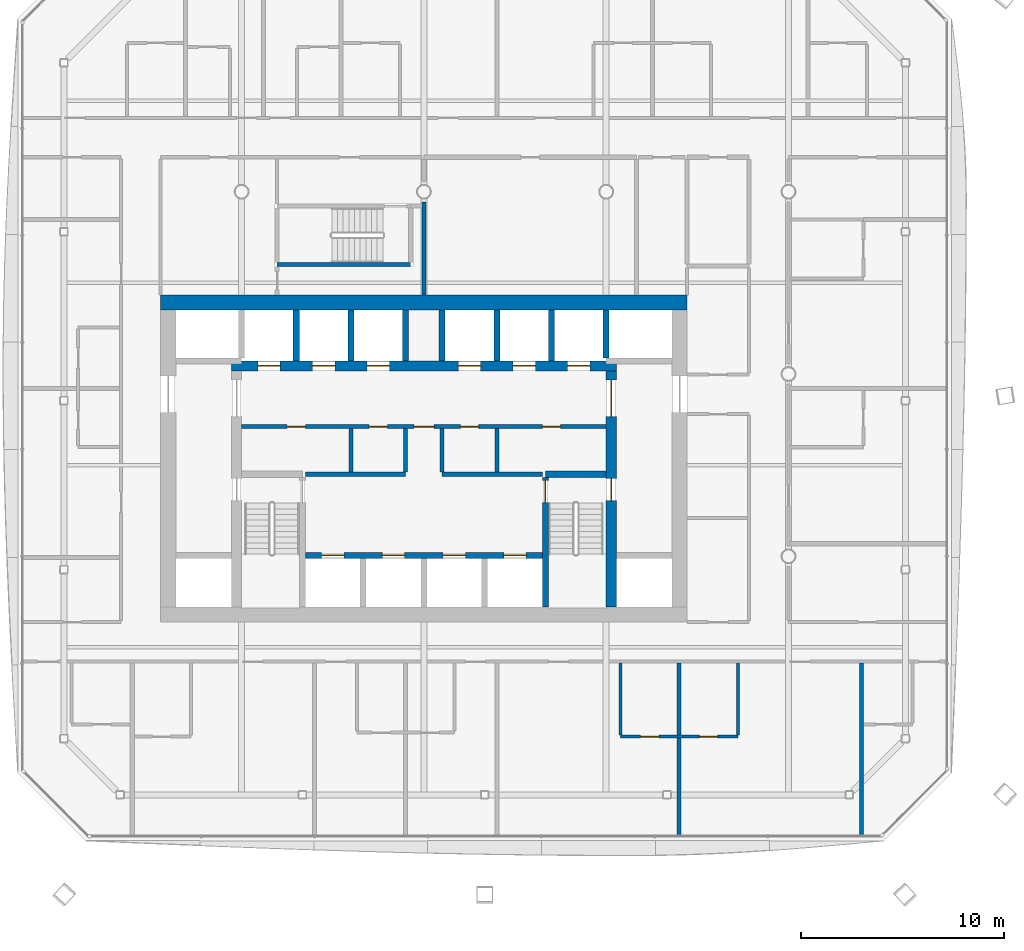
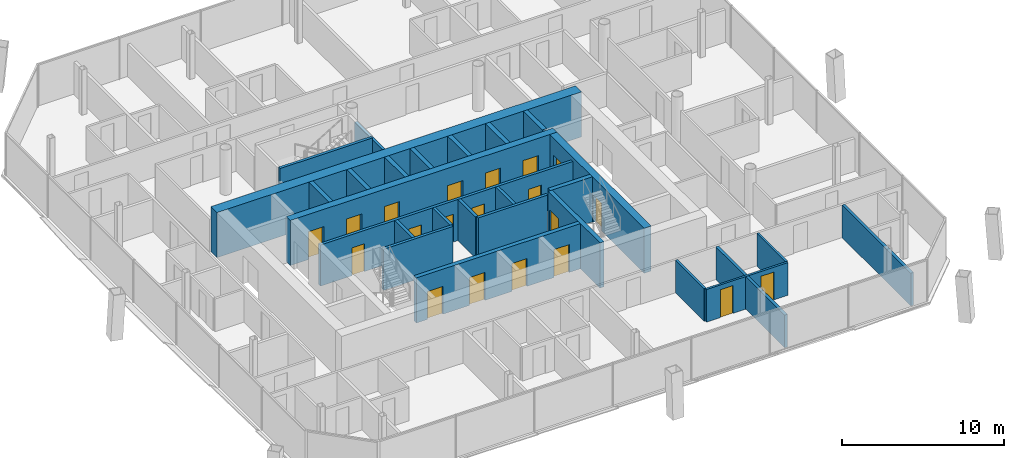
# One storey, part 13 of 21: 27 walls, 20 doors, 20 openings.
"""IFC4 building model written with IfcOpenShell, lengths in metres."""

from ifc_helpers import new_model, si_unit, direction, frame, frame_2d, origin, place, context, subcontext, project, spatial, rectangle, extrude, material, layer, layer_set, type_object, element, fill, save


model = new_model("IFC4")

# Units and contexts
model_context = context("Model", 3, precision=1e-05, world=origin(), true_north=direction((0.0, 1.0)))
body_context = subcontext(model_context, "Body", "Model", "MODEL_VIEW")
ifc_project = project(units=[si_unit("LENGTHUNIT", "METRE"), si_unit("AREAUNIT", "SQUARE_METRE"), si_unit("VOLUMEUNIT", "CUBIC_METRE"), si_unit("PLANEANGLEUNIT", "RADIAN"), si_unit("MASSUNIT", "GRAM", prefix="KILO")], contexts=[model_context])

# Site, building, storey
site_placement = place(None, origin())
site = spatial("IfcSite", under=ifc_project, at=site_placement, CompositionType="ELEMENT")
building_placement = place(site_placement, origin())
building = spatial("IfcBuilding", under=site, at=building_placement, Name="Tskaro Facet Tower", CompositionType="ELEMENT")
storey_placement = place(building_placement, frame((0.0, 0.0, 135.10009765625)))
storey = spatial("IfcBuildingStorey", under=building, at=storey_placement, Name="L32", CompositionType="ELEMENT", Elevation=135.10009765625)

# Wall, openings, doors
ifc_material_1 = material(Name="Concrete C60/75", Category="concrete")
ifc_layer_1 = layer(ifc_material_1, 0.300048828125, Name="Concrete C60/75")
ifc_layer_set_1 = layer_set([ifc_layer_1], Name="Concrete C60/75")
wall_type_1 = type_object("IfcWallType", Name="CORE-SHAFT", PredefinedType="SHEAR", material=ifc_layer_set_1)
wall_1_placement = place(storey_placement, frame((-5.85009765625, -8.949951171875, 0.0), z_axis=(0.0, 0.0, 1.0), x_axis=(1.0, 0.0, 0.0)))
wall_1 = element("IfcWall", 1, at=wall_1_placement, inside=storey, type_object=wall_type_1, Name="Shaft wall W012", PredefinedType="SHEAR", context=body_context, shape_type="SweptSolid", body=[
    extrude(rectangle(XDim=11.7001953125, YDim=0.300048828125, at=frame_2d((5.85009765625, 0.0))), origin(), (0.0, 0.0, 1.0), 3.39990234375),
])
opening_1_placement = place(wall_1_placement, frame((0.800048828125, 0.0, 0.0)))
opening_1 = element("IfcOpeningElement", 2, at=opening_1_placement, cuts=wall_1, Name="Opening LD-FF1", PredefinedType="OPENING", context=body_context, shape_type="SweptSolid", body=[
    extrude(rectangle(XDim=1.10009765625, YDim=2.10009765625, at=frame_2d((0.550048828125, 1.050048828125))), frame((0.0, 0.159912109375, 0.0), z_axis=(0.0, -1.0, 0.0), x_axis=(1.0, 0.0, 0.0)), (0.0, 0.0, 1.0), 0.320068359375),
])
opening_2_placement = place(wall_1_placement, frame((3.800048828125, 0.0, 0.0)))
opening_2 = element("IfcOpeningElement", 3, at=opening_2_placement, cuts=wall_1, Name="Opening LD-FF2", PredefinedType="OPENING", context=body_context, shape_type="SweptSolid", body=[
    extrude(rectangle(XDim=1.10009765625, YDim=2.10009765625, at=frame_2d((0.550048828125, 1.050048828125))), frame((0.0, 0.159912109375, 0.0), z_axis=(0.0, -1.0, 0.0), x_axis=(1.0, 0.0, 0.0)), (0.0, 0.0, 1.0), 0.320068359375),
])
opening_3_placement = place(wall_1_placement, frame((6.800048828125, 0.0, 0.0)))
opening_3 = element("IfcOpeningElement", 4, at=opening_3_placement, cuts=wall_1, Name="Opening LD-SV1", PredefinedType="OPENING", context=body_context, shape_type="SweptSolid", body=[
    extrude(rectangle(XDim=1.10009765625, YDim=2.10009765625, at=frame_2d((0.550048828125, 1.050048828125))), frame((0.0, 0.159912109375, 0.0), z_axis=(0.0, -1.0, 0.0), x_axis=(1.0, 0.0, 0.0)), (0.0, 0.0, 1.0), 0.320068359375),
])
opening_4_placement = place(wall_1_placement, frame((9.800048828125, 0.0, 0.0)))
opening_4 = element("IfcOpeningElement", 5, at=opening_4_placement, cuts=wall_1, Name="Opening LD-SV2", PredefinedType="OPENING", context=body_context, shape_type="SweptSolid", body=[
    extrude(rectangle(XDim=1.10009765625, YDim=2.10009765625, at=frame_2d((0.550048828125, 1.050048828125))), frame((0.0, 0.159912109375, 0.0), z_axis=(0.0, -1.0, 0.0), x_axis=(1.0, 0.0, 0.0)), (0.0, 0.0, 1.0), 0.320068359375),
])
ifc_material_2 = material(Name="Stainless steel", Category="steel")
door_type_1 = type_object("IfcDoorType", Name="D-LANDING", OperationType="NOTDEFINED", PredefinedType="DOOR", material=ifc_material_2)
door_1_placement = place(opening_1_placement, origin())
door_1 = element("IfcDoor", 6, at=door_1_placement, inside=storey, type_object=door_type_1, Name="Landing door FF1", OperationType="DOUBLE_DOOR_SLIDING", OverallHeight=2.10009765625, OverallWidth=1.10009765625, PredefinedType="DOOR", context=body_context, shape_type="SweptSolid", body=[
    extrude(rectangle(XDim=1.10009765625, YDim=2.10009765625, at=frame_2d((0.550048828125, 1.050048828125))), frame((0.0, 0.02490234375, 0.0), z_axis=(0.0, -1.0, 0.0), x_axis=(1.0, 0.0, 0.0)), (0.0, 0.0, 1.0), 0.050048828125),
])
fill(opening_1, door_1)
door_2_placement = place(opening_2_placement, origin())
door_2 = element("IfcDoor", 7, at=door_2_placement, inside=storey, type_object=door_type_1, Name="Landing door FF2", OperationType="DOUBLE_DOOR_SLIDING", OverallHeight=2.10009765625, OverallWidth=1.10009765625, PredefinedType="DOOR", context=body_context, shape_type="SweptSolid", body=[
    extrude(rectangle(XDim=1.10009765625, YDim=2.10009765625, at=frame_2d((0.550048828125, 1.050048828125))), frame((0.0, 0.02490234375, 0.0), z_axis=(0.0, -1.0, 0.0), x_axis=(1.0, 0.0, 0.0)), (0.0, 0.0, 1.0), 0.050048828125),
])
fill(opening_2, door_2)
door_3_placement = place(opening_3_placement, origin())
door_3 = element("IfcDoor", 8, at=door_3_placement, inside=storey, type_object=door_type_1, Name="Landing door SV1", OperationType="DOUBLE_DOOR_SLIDING", OverallHeight=2.10009765625, OverallWidth=1.10009765625, PredefinedType="DOOR", context=body_context, shape_type="SweptSolid", body=[
    extrude(rectangle(XDim=1.10009765625, YDim=2.10009765625, at=frame_2d((0.550048828125, 1.050048828125))), frame((0.0, 0.02490234375, 0.0), z_axis=(0.0, -1.0, 0.0), x_axis=(1.0, 0.0, 0.0)), (0.0, 0.0, 1.0), 0.050048828125),
])
fill(opening_3, door_3)
door_4_placement = place(opening_4_placement, origin())
door_4 = element("IfcDoor", 9, at=door_4_placement, inside=storey, type_object=door_type_1, Name="Landing door SV2", OperationType="DOUBLE_DOOR_SLIDING", OverallHeight=2.10009765625, OverallWidth=1.10009765625, PredefinedType="DOOR", context=body_context, shape_type="SweptSolid", body=[
    extrude(rectangle(XDim=1.10009765625, YDim=2.10009765625, at=frame_2d((0.550048828125, 1.050048828125))), frame((0.0, 0.02490234375, 0.0), z_axis=(0.0, -1.0, 0.0), x_axis=(1.0, 0.0, 0.0)), (0.0, 0.0, 1.0), 0.050048828125),
])
fill(opening_4, door_4)

# Walls
wall_2_placement = place(storey_placement, frame((6.0, -4.949951171875, 0.0), z_axis=(0.0, 0.0, 1.0), x_axis=(1.0, 0.0, 0.0)))
element("IfcWall", 10, at=wall_2_placement, inside=storey, type_object=wall_type_1, Name="Shaft wall W019", PredefinedType="SHEAR", context=body_context, shape_type="SweptSolid", body=[
    extrude(rectangle(XDim=3.0, YDim=0.300048828125, at=frame_2d((1.5, 0.0))), origin(), (0.0, 0.0, 1.0), 3.39990234375),
])
for number, where, z_axis, x_axis, name in (
    (11, (-6.300048828125, 0.64990234375, 0.0), (0.0, 0.0, 1.0), (0.0, 1.0, 0.0), "Shaft wall W065"),
    (12, (-3.60009765625, 0.64990234375, 0.0), (0.0, 0.0, 1.0), (0.0, 1.0, 0.0), "Shaft wall W071"),
    (13, (-0.89990234375, 0.64990234375, 0.0), (0.0, 0.0, 1.0), (0.0, 1.0, 0.0), "Shaft wall W077"),
    (14, (0.89990234375, 0.64990234375, 0.0), (0.0, 0.0, 1.0), (0.0, 1.0, 0.0), "Shaft wall W083"),
    (15, (3.60009765625, 0.64990234375, 0.0), (0.0, 0.0, 1.0), (0.0, 1.0, 0.0), "Shaft wall W088"),
):
    element("IfcWall", number, at=place(storey_placement, frame(where, z_axis=z_axis, x_axis=x_axis)), inside=storey, type_object=wall_type_1, Name=name, PredefinedType="SHEAR", context=body_context, shape_type="SweptSolid", body=[
        extrude(rectangle(XDim=2.5, YDim=0.300048828125, at=frame_2d((1.25, 0.0))), origin(), (0.0, 0.0, 1.0), 3.39990234375),
    ])

# Wall, opening, door
wall_3_placement = place(storey_placement, frame((6.0, -5.10009765625, 0.0), z_axis=(0.0, 0.0, 1.0), x_axis=(0.0, -1.0, 0.0)))
wall_3 = element("IfcWall", 16, at=wall_3_placement, inside=storey, type_object=wall_type_1, Name="Shaft wall W090", PredefinedType="SHEAR", context=body_context, shape_type="SweptSolid", body=[
    extrude(rectangle(XDim=6.39990234375, YDim=0.300048828125, at=frame_2d((3.199951171875, 0.0))), origin(), (0.0, 0.0, 1.0), 3.39990234375),
])
opening_5_placement = place(wall_3_placement, frame((0.14990234375, 0.0, 0.0)))
opening_5 = element("IfcOpeningElement", 17, at=opening_5_placement, cuts=wall_3, Name="Opening ST-2-D1", PredefinedType="OPENING", context=body_context, shape_type="SweptSolid", body=[
    extrude(rectangle(XDim=1.10009765625, YDim=2.10009765625, at=frame_2d((0.550048828125, 1.050048828125))), frame((0.0, 0.159912109375, 0.0), z_axis=(0.0, -1.0, 0.0), x_axis=(1.0, 0.0, 0.0)), (0.0, 0.0, 1.0), 0.320068359375),
])
ifc_material_3 = material(Name="Steel", Category="steel")
door_type_2 = type_object("IfcDoorType", Name="D-STAIR", OperationType="NOTDEFINED", PredefinedType="DOOR", material=ifc_material_3)
door_5_placement = place(opening_5_placement, origin())
door_5 = element("IfcDoor", 18, at=door_5_placement, inside=storey, type_object=door_type_2, Name="Stair door 2", OperationType="SINGLE_SWING_RIGHT", OverallHeight=2.10009765625, OverallWidth=1.10009765625, PredefinedType="DOOR", context=body_context, shape_type="SweptSolid", body=[
    extrude(rectangle(XDim=1.10009765625, YDim=2.10009765625, at=frame_2d((0.550048828125, 1.050048828125))), frame((0.0, 0.02490234375, 0.0), z_axis=(0.0, -1.0, 0.0), x_axis=(1.0, 0.0, 0.0)), (0.0, 0.0, 1.0), 0.050048828125),
])
fill(opening_5, door_5)

# Walls
wall_4_placement = place(storey_placement, frame((6.300048828125, 0.64990234375, 0.0), z_axis=(0.0, 0.0, 1.0), x_axis=(0.0, 1.0, 0.0)))
element("IfcWall", 19, at=wall_4_placement, inside=storey, type_object=wall_type_1, Name="Shaft wall W091", PredefinedType="SHEAR", context=body_context, shape_type="SweptSolid", body=[
    extrude(rectangle(XDim=2.5, YDim=0.300048828125, at=frame_2d((1.25, 0.0))), origin(), (0.0, 0.0, 1.0), 3.39990234375),
])
wall_5_placement = place(storey_placement, frame((9.0, 0.800048828125, 0.0), z_axis=(0.0, 0.0, 1.0), x_axis=(0.0, 1.0, 0.0)))
element("IfcWall", 20, at=wall_5_placement, inside=storey, type_object=wall_type_1, Name="Shaft wall W093", PredefinedType="SHEAR", context=body_context, shape_type="SweptSolid", body=[
    extrude(rectangle(XDim=2.349853515625, YDim=0.300048828125, at=frame_2d((1.1748046875, 0.0))), origin(), (0.0, 0.0, 1.0), 3.39990234375),
])
ifc_material_4 = material(Name="Concrete C20/25", Category="concrete")
ifc_layer_2 = layer(ifc_material_4, 0.199951171875, Name="Concrete C20/25")
ifc_layer_set_2 = layer_set([ifc_layer_2], Name="Concrete C20/25")
wall_type_2 = type_object("IfcWallType", Name="CORE-WALL", PredefinedType="SOLIDWALL", material=ifc_layer_set_2)
for number, where, z_axis, x_axis, name in (
    (21, (-5.85009765625, -4.949951171875, 0.0), (0.0, 0.0, 1.0), (1.0, 0.0, 0.0), "Core room wall W017"),
    (22, (0.89990234375, -4.949951171875, 0.0), (0.0, 0.0, 1.0), (1.0, 0.0, 0.0), "Core room wall W018"),
):
    element("IfcWall", number, at=place(storey_placement, frame(where, z_axis=z_axis, x_axis=x_axis)), inside=storey, type_object=wall_type_2, Name=name, PredefinedType="SOLIDWALL", context=body_context, shape_type="SweptSolid", body=[
        extrude(rectangle(XDim=4.9501953125, YDim=0.199951171875, at=frame_2d((2.47509765625, 0.0))), origin(), (0.0, 0.0, 1.0), 3.099853515625),
    ])

# Wall, openings, doors
wall_6_placement = place(storey_placement, frame((9.0, -2.60009765625, 0.0), z_axis=(0.0, 0.0, 1.0), x_axis=(-1.0, 0.0, 0.0)))
wall_6 = element("IfcWall", 23, at=wall_6_placement, inside=storey, type_object=wall_type_2, Name="Core room wall W022", PredefinedType="SOLIDWALL", context=body_context, shape_type="SweptSolid", body=[
    extrude(rectangle(XDim=18.0, YDim=0.199951171875, at=frame_2d((9.0, 0.0))), origin(), (0.0, 0.0, 1.0), 3.099853515625),
])
opening_6_placement = place(wall_6_placement, frame((8.5, 0.0, 0.0)))
opening_6 = element("IfcOpeningElement", 24, at=opening_6_placement, cuts=wall_6, Name="Opening FL-D1", PredefinedType="OPENING", context=body_context, shape_type="SweptSolid", body=[
    extrude(rectangle(XDim=1.0, YDim=2.10009765625, at=frame_2d((0.5, 1.050048828125))), frame((0.0, 0.10986328125, 0.0), z_axis=(0.0, -1.0, 0.0), x_axis=(1.0, 0.0, 0.0)), (0.0, 0.0, 1.0), 0.219970703125),
])
opening_7_placement = place(wall_6_placement, frame((14.85009765625, 0.0, 0.0)))
opening_7 = element("IfcOpeningElement", 25, at=opening_7_placement, cuts=wall_6, Name="Opening T9-D22", PredefinedType="OPENING", context=body_context, shape_type="SweptSolid", body=[
    extrude(rectangle(XDim=0.89990234375, YDim=2.10009765625, at=frame_2d((0.449951171875, 1.050048828125))), frame((0.0, 0.10986328125, 0.0), z_axis=(0.0, -1.0, 0.0), x_axis=(1.0, 0.0, 0.0)), (0.0, 0.0, 1.0), 0.219970703125),
])
opening_8_placement = place(wall_6_placement, frame((10.800048828125, 0.0, 0.0)))
opening_8 = element("IfcOpeningElement", 26, at=opening_8_placement, cuts=wall_6, Name="Opening T9-D23", PredefinedType="OPENING", context=body_context, shape_type="SweptSolid", body=[
    extrude(rectangle(XDim=0.89990234375, YDim=2.10009765625, at=frame_2d((0.449951171875, 1.050048828125))), frame((0.0, 0.10986328125, 0.0), z_axis=(0.0, -1.0, 0.0), x_axis=(1.0, 0.0, 0.0)), (0.0, 0.0, 1.0), 0.219970703125),
])
opening_9_placement = place(wall_6_placement, frame((6.300048828125, 0.0, 0.0)))
opening_9 = element("IfcOpeningElement", 27, at=opening_9_placement, cuts=wall_6, Name="Opening T9-D24", PredefinedType="OPENING", context=body_context, shape_type="SweptSolid", body=[
    extrude(rectangle(XDim=0.89990234375, YDim=2.10009765625, at=frame_2d((0.449951171875, 1.050048828125))), frame((0.0, 0.10986328125, 0.0), z_axis=(0.0, -1.0, 0.0), x_axis=(1.0, 0.0, 0.0)), (0.0, 0.0, 1.0), 0.219970703125),
])
opening_10_placement = place(wall_6_placement, frame((2.25, 0.0, 0.0)))
opening_10 = element("IfcOpeningElement", 28, at=opening_10_placement, cuts=wall_6, Name="Opening T9-D25", PredefinedType="OPENING", context=body_context, shape_type="SweptSolid", body=[
    extrude(rectangle(XDim=0.89990234375, YDim=2.10009765625, at=frame_2d((0.449951171875, 1.050048828125))), frame((0.0, 0.10986328125, 0.0), z_axis=(0.0, -1.0, 0.0), x_axis=(1.0, 0.0, 0.0)), (0.0, 0.0, 1.0), 0.219970703125),
])
door_type_3 = type_object("IfcDoorType", Name="D-LOBBY", OperationType="NOTDEFINED", PredefinedType="DOOR", material=ifc_material_3)
door_6_placement = place(opening_6_placement, origin())
door_6 = element("IfcDoor", 29, at=door_6_placement, inside=storey, type_object=door_type_3, Name="Lobby door FL", OperationType="SINGLE_SWING_RIGHT", OverallHeight=2.10009765625, OverallWidth=1.0, PredefinedType="DOOR", context=body_context, shape_type="SweptSolid", body=[
    extrude(rectangle(XDim=1.0, YDim=2.10009765625, at=frame_2d((0.5, 1.050048828125))), frame((0.0, 0.02490234375, 0.0), z_axis=(0.0, -1.0, 0.0), x_axis=(1.0, 0.0, 0.0)), (0.0, 0.0, 1.0), 0.050048828125),
])
fill(opening_6, door_6)
ifc_material_5 = material(Name="Timber", Category="wood")
door_type_4 = type_object("IfcDoorType", Name="D-ROOM", OperationType="NOTDEFINED", PredefinedType="DOOR", material=ifc_material_5)
door_7_placement = place(opening_7_placement, origin())
door_7 = element("IfcDoor", 30, at=door_7_placement, inside=storey, type_object=door_type_4, Name="Door T9-D22", OperationType="SINGLE_SWING_RIGHT", OverallHeight=2.10009765625, OverallWidth=0.89990234375, PredefinedType="DOOR", context=body_context, shape_type="SweptSolid", body=[
    extrude(rectangle(XDim=0.89990234375, YDim=2.10009765625, at=frame_2d((0.449951171875, 1.050048828125))), frame((0.0, 0.02490234375, 0.0), z_axis=(0.0, -1.0, 0.0), x_axis=(1.0, 0.0, 0.0)), (0.0, 0.0, 1.0), 0.050048828125),
])
fill(opening_7, door_7)
door_8_placement = place(opening_8_placement, origin())
door_8 = element("IfcDoor", 31, at=door_8_placement, inside=storey, type_object=door_type_4, Name="Door T9-D23", OperationType="SINGLE_SWING_RIGHT", OverallHeight=2.10009765625, OverallWidth=0.89990234375, PredefinedType="DOOR", context=body_context, shape_type="SweptSolid", body=[
    extrude(rectangle(XDim=0.89990234375, YDim=2.10009765625, at=frame_2d((0.449951171875, 1.050048828125))), frame((0.0, 0.02490234375, 0.0), z_axis=(0.0, -1.0, 0.0), x_axis=(1.0, 0.0, 0.0)), (0.0, 0.0, 1.0), 0.050048828125),
])
fill(opening_8, door_8)
door_9_placement = place(opening_9_placement, origin())
door_9 = element("IfcDoor", 32, at=door_9_placement, inside=storey, type_object=door_type_4, Name="Door T9-D24", OperationType="SINGLE_SWING_RIGHT", OverallHeight=2.10009765625, OverallWidth=0.89990234375, PredefinedType="DOOR", context=body_context, shape_type="SweptSolid", body=[
    extrude(rectangle(XDim=0.89990234375, YDim=2.10009765625, at=frame_2d((0.449951171875, 1.050048828125))), frame((0.0, 0.02490234375, 0.0), z_axis=(0.0, -1.0, 0.0), x_axis=(1.0, 0.0, 0.0)), (0.0, 0.0, 1.0), 0.050048828125),
])
fill(opening_9, door_9)
door_10_placement = place(opening_10_placement, origin())
door_10 = element("IfcDoor", 33, at=door_10_placement, inside=storey, type_object=door_type_4, Name="Door T9-D25", OperationType="SINGLE_SWING_RIGHT", OverallHeight=2.10009765625, OverallWidth=0.89990234375, PredefinedType="DOOR", context=body_context, shape_type="SweptSolid", body=[
    extrude(rectangle(XDim=0.89990234375, YDim=2.10009765625, at=frame_2d((0.449951171875, 1.050048828125))), frame((0.0, 0.02490234375, 0.0), z_axis=(0.0, -1.0, 0.0), x_axis=(1.0, 0.0, 0.0)), (0.0, 0.0, 1.0), 0.050048828125),
])
fill(opening_10, door_10)

# Walls
for number, where, z_axis, x_axis, name in (
    (34, (-3.60009765625, -4.85009765625, 0.0), (0.0, 0.0, 1.0), (0.0, 1.0, 0.0), "Core room wall W070"),
    (35, (-0.89990234375, -4.85009765625, 0.0), (0.0, 0.0, 1.0), (0.0, 1.0, 0.0), "Core room wall W076"),
    (36, (0.89990234375, -4.85009765625, 0.0), (0.0, 0.0, 1.0), (0.0, 1.0, 0.0), "Core room wall W082"),
    (37, (3.60009765625, -4.85009765625, 0.0), (0.0, 0.0, 1.0), (0.0, 1.0, 0.0), "Core room wall W087"),
):
    element("IfcWall", number, at=place(storey_placement, frame(where, z_axis=z_axis, x_axis=x_axis)), inside=storey, type_object=wall_type_2, Name=name, PredefinedType="SOLIDWALL", context=body_context, shape_type="SweptSolid", body=[
        extrude(rectangle(XDim=2.150146484375, YDim=0.199951171875, at=frame_2d((1.0751953125, 0.0))), origin(), (0.0, 0.0, 1.0), 3.099853515625),
    ])

# Wall, openings, doors
ifc_material_6 = material(Name="Concrete C40/50", Category="concrete")
ifc_layer_3 = layer(ifc_material_6, 0.5, Name="Concrete C40/50")
ifc_layer_set_3 = layer_set([ifc_layer_3], Name="Concrete C40/50")
wall_type_3 = type_object("IfcWallType", Name="Core wall 500", PredefinedType="SHEAR", material=ifc_layer_set_3)
wall_7_placement = place(storey_placement, frame((-9.5, 0.39990234375, 0.0), z_axis=(0.0, 0.0, 1.0), x_axis=(1.0, 0.0, 0.0)))
wall_7 = element("IfcWall", 38, at=wall_7_placement, inside=storey, type_object=wall_type_3, Name="Core wall CW-Z3N", PredefinedType="SHEAR", context=body_context, shape_type="SweptSolid", body=[
    extrude(rectangle(XDim=19.0, YDim=0.5, at=frame_2d((9.5, 0.0))), origin(), (0.0, 0.0, 1.0), 3.39990234375),
])
opening_11_placement = place(wall_7_placement, frame((1.300048828125, 0.0, 0.0)))
opening_11 = element("IfcOpeningElement", 39, at=opening_11_placement, cuts=wall_7, Name="Opening LD-MB1", PredefinedType="OPENING", context=body_context, shape_type="SweptSolid", body=[
    extrude(rectangle(XDim=1.10009765625, YDim=2.10009765625, at=frame_2d((0.550048828125, 1.050048828125))), frame((0.0, 0.260009765625, 0.0), z_axis=(0.0, -1.0, 0.0), x_axis=(1.0, 0.0, 0.0)), (0.0, 0.0, 1.0), 0.52001953125),
])
opening_12_placement = place(wall_7_placement, frame((4.0, 0.0, 0.0)))
opening_12 = element("IfcOpeningElement", 40, at=opening_12_placement, cuts=wall_7, Name="Opening LD-MB2", PredefinedType="OPENING", context=body_context, shape_type="SweptSolid", body=[
    extrude(rectangle(XDim=1.10009765625, YDim=2.10009765625, at=frame_2d((0.550048828125, 1.050048828125))), frame((0.0, 0.260009765625, 0.0), z_axis=(0.0, -1.0, 0.0), x_axis=(1.0, 0.0, 0.0)), (0.0, 0.0, 1.0), 0.52001953125),
])
opening_13_placement = place(wall_7_placement, frame((6.699951171875, 0.0, 0.0)))
opening_13 = element("IfcOpeningElement", 41, at=opening_13_placement, cuts=wall_7, Name="Opening LD-MB3", PredefinedType="OPENING", context=body_context, shape_type="SweptSolid", body=[
    extrude(rectangle(XDim=1.10009765625, YDim=2.10009765625, at=frame_2d((0.550048828125, 1.050048828125))), frame((0.0, 0.260009765625, 0.0), z_axis=(0.0, -1.0, 0.0), x_axis=(1.0, 0.0, 0.0)), (0.0, 0.0, 1.0), 0.52001953125),
])
opening_14_placement = place(wall_7_placement, frame((11.199951171875, 0.0, 0.0)))
opening_14 = element("IfcOpeningElement", 42, at=opening_14_placement, cuts=wall_7, Name="Opening LD-MB4", PredefinedType="OPENING", context=body_context, shape_type="SweptSolid", body=[
    extrude(rectangle(XDim=1.10009765625, YDim=2.10009765625, at=frame_2d((0.550048828125, 1.050048828125))), frame((0.0, 0.260009765625, 0.0), z_axis=(0.0, -1.0, 0.0), x_axis=(1.0, 0.0, 0.0)), (0.0, 0.0, 1.0), 0.52001953125),
])
opening_15_placement = place(wall_7_placement, frame((13.89990234375, 0.0, 0.0)))
opening_15 = element("IfcOpeningElement", 43, at=opening_15_placement, cuts=wall_7, Name="Opening LD-MB5", PredefinedType="OPENING", context=body_context, shape_type="SweptSolid", body=[
    extrude(rectangle(XDim=1.10009765625, YDim=2.10009765625, at=frame_2d((0.550048828125, 1.050048828125))), frame((0.0, 0.260009765625, 0.0), z_axis=(0.0, -1.0, 0.0), x_axis=(1.0, 0.0, 0.0)), (0.0, 0.0, 1.0), 0.52001953125),
])
opening_16_placement = place(wall_7_placement, frame((16.60009765625, 0.0, 0.0)))
opening_16 = element("IfcOpeningElement", 44, at=opening_16_placement, cuts=wall_7, Name="Opening LD-MB6", PredefinedType="OPENING", context=body_context, shape_type="SweptSolid", body=[
    extrude(rectangle(XDim=1.10009765625, YDim=2.10009765625, at=frame_2d((0.550048828125, 1.050048828125))), frame((0.0, 0.260009765625, 0.0), z_axis=(0.0, -1.0, 0.0), x_axis=(1.0, 0.0, 0.0)), (0.0, 0.0, 1.0), 0.52001953125),
])
door_11_placement = place(opening_11_placement, origin())
door_11 = element("IfcDoor", 45, at=door_11_placement, inside=storey, type_object=door_type_1, Name="Landing door MB1", OperationType="DOUBLE_DOOR_SLIDING", OverallHeight=2.10009765625, OverallWidth=1.10009765625, PredefinedType="DOOR", context=body_context, shape_type="SweptSolid", body=[
    extrude(rectangle(XDim=1.10009765625, YDim=2.10009765625, at=frame_2d((0.550048828125, 1.050048828125))), frame((0.0, 0.02490234375, 0.0), z_axis=(0.0, -1.0, 0.0), x_axis=(1.0, 0.0, 0.0)), (0.0, 0.0, 1.0), 0.050048828125),
])
fill(opening_11, door_11)
door_12_placement = place(opening_12_placement, origin())
door_12 = element("IfcDoor", 46, at=door_12_placement, inside=storey, type_object=door_type_1, Name="Landing door MB2", OperationType="DOUBLE_DOOR_SLIDING", OverallHeight=2.10009765625, OverallWidth=1.10009765625, PredefinedType="DOOR", context=body_context, shape_type="SweptSolid", body=[
    extrude(rectangle(XDim=1.10009765625, YDim=2.10009765625, at=frame_2d((0.550048828125, 1.050048828125))), frame((0.0, 0.02490234375, 0.0), z_axis=(0.0, -1.0, 0.0), x_axis=(1.0, 0.0, 0.0)), (0.0, 0.0, 1.0), 0.050048828125),
])
fill(opening_12, door_12)
door_13_placement = place(opening_13_placement, origin())
door_13 = element("IfcDoor", 47, at=door_13_placement, inside=storey, type_object=door_type_1, Name="Landing door MB3", OperationType="DOUBLE_DOOR_SLIDING", OverallHeight=2.10009765625, OverallWidth=1.10009765625, PredefinedType="DOOR", context=body_context, shape_type="SweptSolid", body=[
    extrude(rectangle(XDim=1.10009765625, YDim=2.10009765625, at=frame_2d((0.550048828125, 1.050048828125))), frame((0.0, 0.02490234375, 0.0), z_axis=(0.0, -1.0, 0.0), x_axis=(1.0, 0.0, 0.0)), (0.0, 0.0, 1.0), 0.050048828125),
])
fill(opening_13, door_13)
door_14_placement = place(opening_14_placement, origin())
door_14 = element("IfcDoor", 48, at=door_14_placement, inside=storey, type_object=door_type_1, Name="Landing door MB4", OperationType="DOUBLE_DOOR_SLIDING", OverallHeight=2.10009765625, OverallWidth=1.10009765625, PredefinedType="DOOR", context=body_context, shape_type="SweptSolid", body=[
    extrude(rectangle(XDim=1.10009765625, YDim=2.10009765625, at=frame_2d((0.550048828125, 1.050048828125))), frame((0.0, 0.02490234375, 0.0), z_axis=(0.0, -1.0, 0.0), x_axis=(1.0, 0.0, 0.0)), (0.0, 0.0, 1.0), 0.050048828125),
])
fill(opening_14, door_14)
door_15_placement = place(opening_15_placement, origin())
door_15 = element("IfcDoor", 49, at=door_15_placement, inside=storey, type_object=door_type_1, Name="Landing door MB5", OperationType="DOUBLE_DOOR_SLIDING", OverallHeight=2.10009765625, OverallWidth=1.10009765625, PredefinedType="DOOR", context=body_context, shape_type="SweptSolid", body=[
    extrude(rectangle(XDim=1.10009765625, YDim=2.10009765625, at=frame_2d((0.550048828125, 1.050048828125))), frame((0.0, 0.02490234375, 0.0), z_axis=(0.0, -1.0, 0.0), x_axis=(1.0, 0.0, 0.0)), (0.0, 0.0, 1.0), 0.050048828125),
])
fill(opening_15, door_15)
door_16_placement = place(opening_16_placement, origin())
door_16 = element("IfcDoor", 50, at=door_16_placement, inside=storey, type_object=door_type_1, Name="Landing door MB6", OperationType="DOUBLE_DOOR_SLIDING", OverallHeight=2.10009765625, OverallWidth=1.10009765625, PredefinedType="DOOR", context=body_context, shape_type="SweptSolid", body=[
    extrude(rectangle(XDim=1.10009765625, YDim=2.10009765625, at=frame_2d((0.550048828125, 1.050048828125))), frame((0.0, 0.02490234375, 0.0), z_axis=(0.0, -1.0, 0.0), x_axis=(1.0, 0.0, 0.0)), (0.0, 0.0, 1.0), 0.050048828125),
])
fill(opening_16, door_16)

wall_8_placement = place(storey_placement, frame((9.25, -11.5, 0.0), z_axis=(0.0, 0.0, 1.0), x_axis=(0.0, 1.0, 0.0)))
wall_8 = element("IfcWall", 51, at=wall_8_placement, inside=storey, type_object=wall_type_3, Name="Core wall CW-Z3E", PredefinedType="SHEAR", context=body_context, shape_type="SweptSolid", body=[
    extrude(rectangle(XDim=11.64990234375, YDim=0.5, at=frame_2d((5.824951171875, 0.0))), origin(), (0.0, 0.0, 1.0), 3.39990234375),
])
opening_17_placement = place(wall_8_placement, frame((9.39990234375, 0.0, 0.0)))
opening_17 = element("IfcOpeningElement", 52, at=opening_17_placement, cuts=wall_8, Name="Opening T9-D30", PredefinedType="OPENING", context=body_context, shape_type="SweptSolid", body=[
    extrude(rectangle(XDim=1.800048828125, YDim=2.10009765625, at=frame_2d((0.89990234375, 1.050048828125))), frame((0.0, 0.260009765625, 0.0), z_axis=(0.0, -1.0, 0.0), x_axis=(1.0, 0.0, 0.0)), (0.0, 0.0, 1.0), 0.52001953125),
])
opening_18_placement = place(wall_8_placement, frame((5.25, 0.0, 0.0)))
opening_18 = element("IfcOpeningElement", 53, at=opening_18_placement, cuts=wall_8, Name="Opening ST-2-D2", PredefinedType="OPENING", context=body_context, shape_type="SweptSolid", body=[
    extrude(rectangle(XDim=1.10009765625, YDim=2.10009765625, at=frame_2d((0.550048828125, 1.050048828125))), frame((0.0, 0.260009765625, 0.0), z_axis=(0.0, -1.0, 0.0), x_axis=(1.0, 0.0, 0.0)), (0.0, 0.0, 1.0), 0.52001953125),
])
door_type_5 = type_object("IfcDoorType", Name="D-CORE-PAIR", OperationType="NOTDEFINED", PredefinedType="DOOR", material=ifc_material_3)
door_17_placement = place(opening_17_placement, origin())
door_17 = element("IfcDoor", 54, at=door_17_placement, inside=storey, type_object=door_type_5, Name="Door T9-D30", OperationType="DOUBLE_DOOR_SINGLE_SWING", OverallHeight=2.10009765625, OverallWidth=1.800048828125, PredefinedType="DOOR", context=body_context, shape_type="SweptSolid", body=[
    extrude(rectangle(XDim=1.800048828125, YDim=2.10009765625, at=frame_2d((0.89990234375, 1.050048828125))), frame((0.0, 0.02490234375, 0.0), z_axis=(0.0, -1.0, 0.0), x_axis=(1.0, 0.0, 0.0)), (0.0, 0.0, 1.0), 0.050048828125),
])
fill(opening_17, door_17)
door_18_placement = place(opening_18_placement, origin())
door_18 = element("IfcDoor", 55, at=door_18_placement, inside=storey, type_object=door_type_2, Name="Stair door 2 east", OperationType="SINGLE_SWING_LEFT", OverallHeight=2.10009765625, OverallWidth=1.10009765625, PredefinedType="DOOR", context=body_context, shape_type="SweptSolid", body=[
    extrude(rectangle(XDim=1.10009765625, YDim=2.10009765625, at=frame_2d((0.550048828125, 1.050048828125))), frame((0.0, 0.02490234375, 0.0), z_axis=(0.0, -1.0, 0.0), x_axis=(1.0, 0.0, 0.0)), (0.0, 0.0, 1.0), 0.050048828125),
])
fill(opening_18, door_18)

# Wall
ifc_material_7 = material(Name="Concrete C50/60", Category="concrete")
ifc_layer_4 = layer(ifc_material_7, 0.75, Name="Concrete C50/60")
ifc_layer_set_4 = layer_set([ifc_layer_4], Name="Concrete C50/60")
wall_type_4 = type_object("IfcWallType", Name="Core wall 750", PredefinedType="SHEAR", material=ifc_layer_set_4)
wall_9_placement = place(storey_placement, frame((-13.0, 3.52490234375, 0.0), z_axis=(0.0, 0.0, 1.0), x_axis=(1.0, 0.0, 0.0)))
element("IfcWall", 56, at=wall_9_placement, inside=storey, type_object=wall_type_4, Name="Core wall CW-Z2N", PredefinedType="SHEAR", context=body_context, shape_type="SweptSolid", body=[
    extrude(rectangle(XDim=26.0, YDim=0.75, at=frame_2d((13.0, 0.0))), origin(), (0.0, 0.0, 1.0), 3.39990234375),
])

# Wall, openings, doors
ifc_material_8 = material(Name="Gypsum board on steel studs", Category="steel")
ifc_layer_5 = layer(ifc_material_8, 0.14990234375, Name="Gypsum board on steel studs")
ifc_layer_set_5 = layer_set([ifc_layer_5], Name="Gypsum board on steel studs")
wall_type_5 = type_object("IfcWallType", Name="PART-CORR", PredefinedType="PARTITIONING", material=ifc_layer_set_5)
wall_10_placement = place(storey_placement, frame((9.699951171875, -17.89990234375, 0.0), z_axis=(0.0, 0.0, 1.0), x_axis=(1.0, 0.0, 0.0)))
wall_10 = element("IfcWall", 57, at=wall_10_placement, inside=storey, type_object=wall_type_5, Name="Corridor wall W002", PredefinedType="PARTITIONING", context=body_context, shape_type="SweptSolid", body=[
    extrude(rectangle(XDim=5.800048828125, YDim=0.14990234375, at=frame_2d((2.89990234375, 0.0))), origin(), (0.0, 0.0, 1.0), 2.4599609375),
])
opening_19_placement = place(wall_10_placement, frame((1.0, 0.0, 0.0)))
opening_19 = element("IfcOpeningElement", 58, at=opening_19_placement, cuts=wall_10, Name="Opening T9-D02", PredefinedType="OPENING", context=body_context, shape_type="SweptSolid", body=[
    extrude(rectangle(XDim=0.89990234375, YDim=2.10009765625, at=frame_2d((0.449951171875, 1.050048828125))), frame((0.0, 0.0849609375, 0.0), z_axis=(0.0, -1.0, 0.0), x_axis=(1.0, 0.0, 0.0)), (0.0, 0.0, 1.0), 0.169921875),
])
opening_20_placement = place(wall_10_placement, frame((3.89990234375, 0.0, 0.0)))
opening_20 = element("IfcOpeningElement", 59, at=opening_20_placement, cuts=wall_10, Name="Opening T9-D03", PredefinedType="OPENING", context=body_context, shape_type="SweptSolid", body=[
    extrude(rectangle(XDim=0.89990234375, YDim=2.10009765625, at=frame_2d((0.449951171875, 1.050048828125))), frame((0.0, 0.0849609375, 0.0), z_axis=(0.0, -1.0, 0.0), x_axis=(1.0, 0.0, 0.0)), (0.0, 0.0, 1.0), 0.169921875),
])
door_19_placement = place(opening_19_placement, origin())
door_19 = element("IfcDoor", 60, at=door_19_placement, inside=storey, type_object=door_type_4, Name="Door T9-D02", OperationType="SINGLE_SWING_LEFT", OverallHeight=2.10009765625, OverallWidth=0.89990234375, PredefinedType="DOOR", context=body_context, shape_type="SweptSolid", body=[
    extrude(rectangle(XDim=0.89990234375, YDim=2.10009765625, at=frame_2d((0.449951171875, 1.050048828125))), frame((0.0, 0.02490234375, 0.0), z_axis=(0.0, -1.0, 0.0), x_axis=(1.0, 0.0, 0.0)), (0.0, 0.0, 1.0), 0.050048828125),
])
fill(opening_19, door_19)
door_20_placement = place(opening_20_placement, origin())
door_20 = element("IfcDoor", 61, at=door_20_placement, inside=storey, type_object=door_type_4, Name="Door T9-D03", OperationType="SINGLE_SWING_LEFT", OverallHeight=2.10009765625, OverallWidth=0.89990234375, PredefinedType="DOOR", context=body_context, shape_type="SweptSolid", body=[
    extrude(rectangle(XDim=0.89990234375, YDim=2.10009765625, at=frame_2d((0.449951171875, 1.050048828125))), frame((0.0, 0.02490234375, 0.0), z_axis=(0.0, -1.0, 0.0), x_axis=(1.0, 0.0, 0.0)), (0.0, 0.0, 1.0), 0.050048828125),
])
fill(opening_20, door_20)

# Walls
for number, where, z_axis, x_axis, name in (
    (62, (9.699951171875, -17.824951171875, 0.0), (0.0, 0.0, 1.0), (0.0, 1.0, 0.0), "Corridor wall W094"),
    (63, (15.5, -17.824951171875, 0.0), (0.0, 0.0, 1.0), (0.0, 1.0, 0.0), "Corridor wall W101"),
):
    element("IfcWall", number, at=place(storey_placement, frame(where, z_axis=z_axis, x_axis=x_axis)), inside=storey, type_object=wall_type_5, Name=name, PredefinedType="PARTITIONING", context=body_context, shape_type="SweptSolid", body=[
        extrude(rectangle(XDim=3.550048828125, YDim=0.14990234375, at=frame_2d((1.77490234375, 0.0))), origin(), (0.0, 0.0, 1.0), 2.4599609375),
    ])
ifc_layer_6 = layer(ifc_material_8, 0.199951171875, Name="Gypsum board on steel studs")
ifc_layer_set_6 = layer_set([ifc_layer_6], Name="Gypsum board on steel studs")
wall_type_6 = type_object("IfcWallType", Name="PART-DEMISING", PredefinedType="PARTITIONING", material=ifc_layer_set_6)
for number, where, z_axis, x_axis, name in (
    (64, (12.60009765625, -22.77001953125, 0.0), (0.0, 0.0, 1.0), (0.0, 1.0, 0.0), "Guest room wall W097"),
    (65, (21.59912109375, -22.77001953125, 0.0), (0.0, 0.0, 1.0), (0.0, 1.0, 0.0), "Guest room wall W110"),
):
    element("IfcWall", number, at=place(storey_placement, frame(where, z_axis=z_axis, x_axis=x_axis)), inside=storey, type_object=wall_type_6, Name=name, PredefinedType="PARTITIONING", context=body_context, shape_type="SweptSolid", body=[
        extrude(rectangle(XDim=8.4951171875, YDim=0.199951171875, at=frame_2d((4.24755859375, 0.0))), origin(), (0.0, 0.0, 1.0), 2.4599609375),
    ])
ifc_layer_7 = layer(ifc_material_1, 0.199951171875, Name="Concrete C60/75")
ifc_layer_set_7 = layer_set([ifc_layer_7], Name="Concrete C60/75")
wall_type_7 = type_object("IfcWallType", Name="STAIR-WALL", PredefinedType="SHEAR", material=ifc_layer_set_7)
wall_11_placement = place(storey_placement, frame((-7.25, 5.39990234375, 0.0), z_axis=(0.0, 0.0, 1.0), x_axis=(1.0, 0.0, 0.0)))
element("IfcWall", 66, at=wall_11_placement, inside=storey, type_object=wall_type_7, Name="Stair wall W032", PredefinedType="SHEAR", context=body_context, shape_type="SweptSolid", body=[
    extrude(rectangle(XDim=6.60009765625, YDim=0.199951171875, at=frame_2d((3.300048828125, 0.0))), origin(), (0.0, 0.0, 1.0), 3.39990234375),
])
ifc_layer_8 = layer(ifc_material_4, 0.199951171875, Name="Concrete C20/25")
ifc_layer_set_8 = layer_set([ifc_layer_8], Name="Concrete C20/25")
wall_type_8 = type_object("IfcWallType", Name="WALL-RISER", PredefinedType="SOLIDWALL", material=ifc_layer_set_8)
wall_12_placement = place(storey_placement, frame((0.0, 3.89990234375, 0.0), z_axis=(0.0, 0.0, 1.0), x_axis=(0.0, 1.0, 0.0)))
element("IfcWall", 67, at=wall_12_placement, inside=storey, type_object=wall_type_8, Name="Riser room wall W080", PredefinedType="SOLIDWALL", context=body_context, shape_type="SweptSolid", body=[
    extrude(rectangle(XDim=4.60009765625, YDim=0.199951171875, at=frame_2d((2.300048828125, 0.0))), origin(), (0.0, 0.0, 1.0), 2.4599609375),
])

save(model, "model.ifc")
